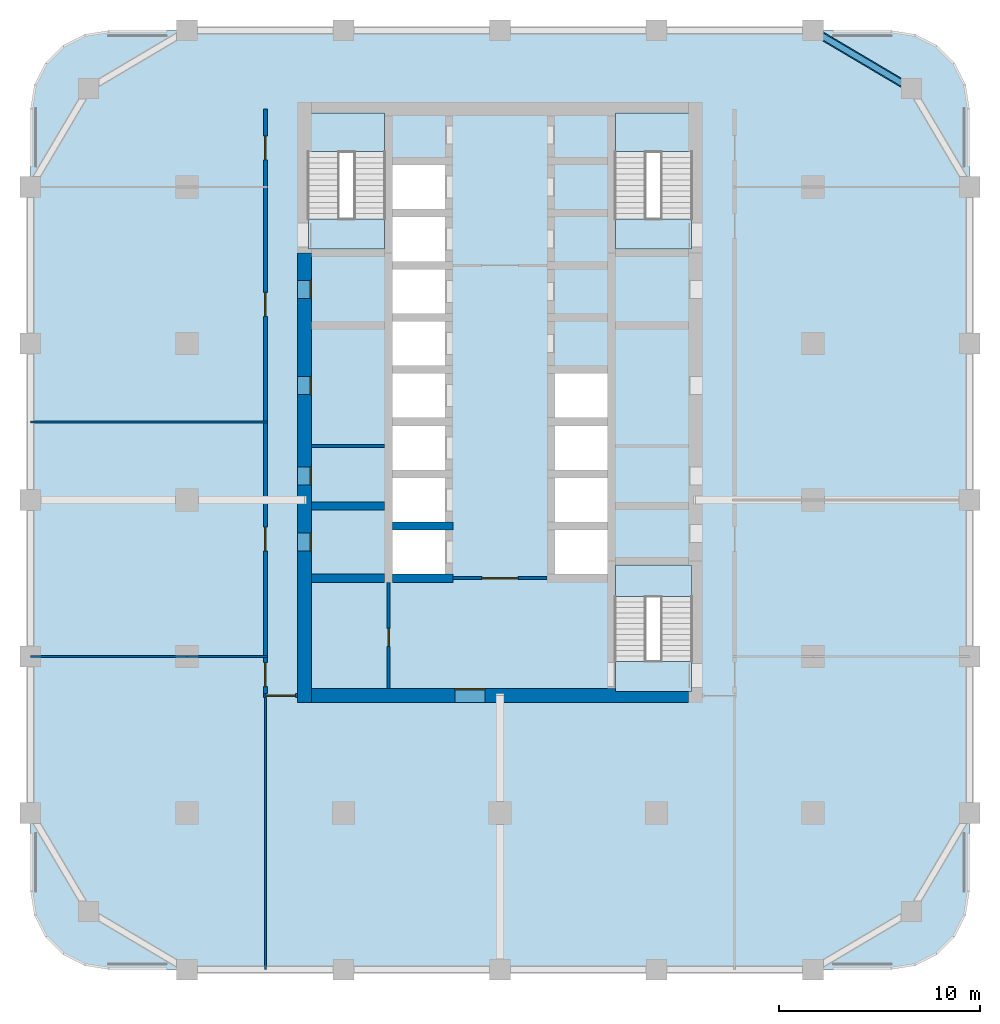
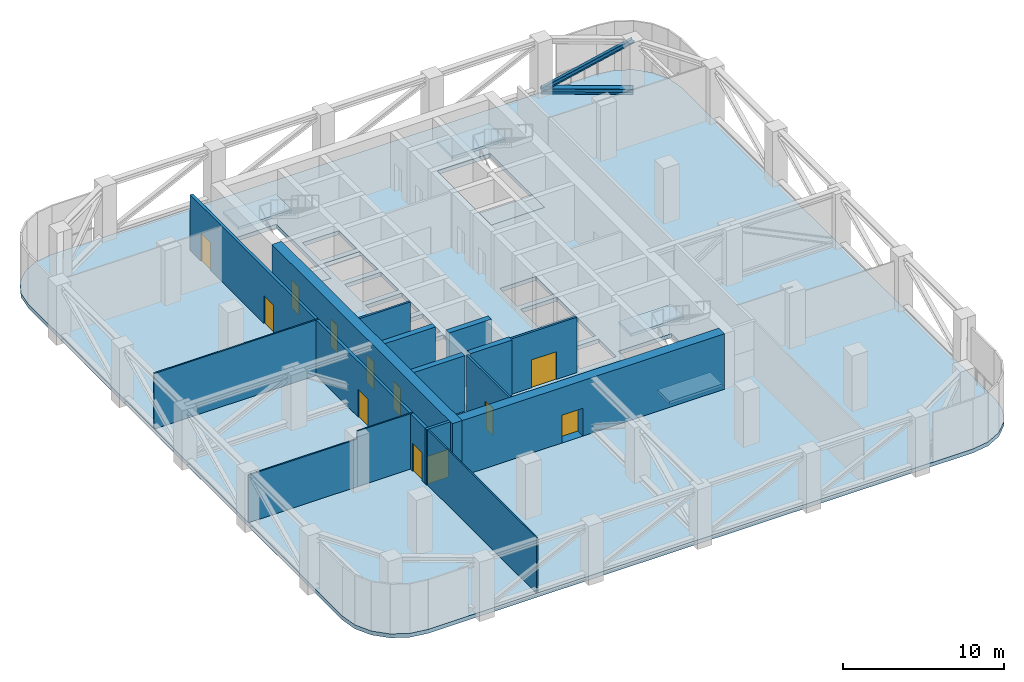
# One storey, part 2 of 8: 15 walls, 12 doors, 7 slabs, 2 members, 12 openings, 3 elements without a shape of their own.
"""IFC4 building model written with IfcOpenShell, lengths in metres."""

from ifc_helpers import new_model, si_unit, direction, frame, frame_2d, origin, origin_2d, place, context, subcontext, project, spatial, polyline, rectangle, i_section, outline, extrude, material, layer, layer_set, material_profile, profile_set, type_object, element, fill, aggregate, save


model = new_model("IFC4")

# Units and contexts
model_context = context("Model", 3, precision=1e-05, world=origin(), true_north=direction((0.0, 1.0)))
body_context = subcontext(model_context, "Body", "Model", "MODEL_VIEW")
ifc_project = project(units=[si_unit("LENGTHUNIT", "METRE"), si_unit("AREAUNIT", "SQUARE_METRE"), si_unit("VOLUMEUNIT", "CUBIC_METRE"), si_unit("PLANEANGLEUNIT", "RADIAN"), si_unit("MASSUNIT", "GRAM", prefix="KILO")], contexts=[model_context])

# Site, building, storey
site_placement = place(None, origin())
site = spatial("IfcSite", under=ifc_project, at=site_placement, CompositionType="ELEMENT")
building_placement = place(site_placement, origin())
building = spatial("IfcBuilding", under=site, at=building_placement, Name="Ludao Terraces", CompositionType="ELEMENT")
storey_placement = place(building_placement, frame((0.0, 0.0, 46.699951171875)))
storey = spatial("IfcBuildingStorey", under=building, at=storey_placement, Name="L12", CompositionType="ELEMENT", Elevation=46.699951171875)

# Members
ifc_material_1 = material(Name="Steel Q355", Category="steel")
ifc_material_profile_1 = material_profile(ifc_material_1, i_section(OverallWidth=0.39990234375, OverallDepth=0.39990234375, WebThickness=0.012939453125, FlangeThickness=0.02099609375, at=origin_2d()), Name="HW 400X400X13X21")
ifc_profile_set_1 = profile_set([ifc_material_profile_1], Name="Steel Q355")
member_type_1 = type_object("IfcMemberType", Name="Belt truss chord HW 400x400x13x21 Q355", PredefinedType="CHORD", material=ifc_profile_set_1)
member_1_placement = place(storey_placement, frame((100.60009765625, 88.39990234375, 0.199951171875), z_axis=(0.860579751256, -0.509315709288, 0.0), x_axis=(0.509315709288, 0.860579751256, 0.0)))
element("IfcMember", 1, at=member_1_placement, inside=storey, type_object=member_type_1, Name="Truss chord L12 BT12B1", PredefinedType="CHORD", context=body_context, shape_type="SweptSolid", body=[
    extrude(i_section(OverallWidth=0.39990234375, OverallDepth=0.39990234375, WebThickness=0.012939453125, FlangeThickness=0.02099609375, at=origin_2d()), origin(), (0.0, 0.0, 1.0), 5.693603515625),
])
ifc_material_profile_2 = material_profile(ifc_material_1, i_section(OverallWidth=0.300048828125, OverallDepth=0.300048828125, WebThickness=0.010009765625, FlangeThickness=0.014892578125, at=origin_2d()), Name="HW 300X300X10X15")
ifc_profile_set_2 = profile_set([ifc_material_profile_2], Name="Steel Q355")
member_type_2 = type_object("IfcMemberType", Name="Belt truss diagonal HW 300x300x10x15 Q355", PredefinedType="BRACE", material=ifc_profile_set_2)
member_2_placement = place(storey_placement, frame((100.60009765625, 88.39990234375, 0.199951171875), z_axis=(0.715799881682, -0.423630841785, 0.555128308838), x_axis=(0.509315709288, 0.860579751256, 0.0)))
element("IfcMember", 2, at=member_2_placement, inside=storey, type_object=member_type_2, Name="Truss diagonal L12 BT121", PredefinedType="BRACE", context=body_context, shape_type="SweptSolid", body=[
    extrude(i_section(OverallWidth=0.300048828125, OverallDepth=0.300048828125, WebThickness=0.010009765625, FlangeThickness=0.014892578125, at=origin_2d()), origin(), (0.0, 0.0, 1.0), 6.845458984375),
])

# Slab
ifc_material_2 = material(Name="Concrete C40", Category="concrete")
ifc_layer_1 = layer(ifc_material_2, 0.300048828125)
ifc_layer_set_1 = layer_set([ifc_layer_1], Name="Floor slab 300 C40")
slab_type_1 = type_object("IfcSlabType", Name="Floor slab 300 C40", PredefinedType="FLOOR", material=ifc_layer_set_1)
slab_1_placement = place(storey_placement, frame((0.0, 0.0, -0.300048828125)))
element("IfcSlab", 3, at=slab_1_placement, inside=storey, type_object=slab_type_1, Name="Slab L12", PredefinedType="FLOOR", context=body_context, shape_type="SweptSolid", body=[
    extrude(outline(polyline([(104.5, 41.60009765625), (105.705078125, 41.790771484375), (106.79248046875, 42.3447265625), (107.6552734375, 43.20751953125), (108.209228515625, 44.294921875), (108.39990234375, 45.5), (108.39990234375, 84.5), (108.209228515625, 85.705078125), (107.6552734375, 86.79248046875), (106.79248046875, 87.6552734375), (105.705078125, 88.209228515625), (104.5, 88.39990234375), (65.5, 88.39990234375), (64.294921875, 88.209228515625), (63.20751953125, 87.6552734375), (62.3447265625, 86.79248046875), (61.790771484375, 85.705078125), (61.60009765625, 84.5), (61.60009765625, 45.5), (61.790771484375, 44.294921875), (62.3447265625, 43.20751953125), (63.20751953125, 42.3447265625), (64.294921875, 41.790771484375), (65.5, 41.60009765625), (104.5, 41.60009765625)]), holes=[polyline([(79.64990234375, 61.300048828125), (82.25, 61.300048828125), (82.25, 63.5), (79.64990234375, 63.5), (79.64990234375, 61.300048828125)]), polyline([(79.64990234375, 63.89990234375), (82.25, 63.89990234375), (82.25, 66.10009765625), (79.64990234375, 66.10009765625), (79.64990234375, 63.89990234375)]), polyline([(79.64990234375, 66.5), (82.25, 66.5), (82.25, 68.699951171875), (79.64990234375, 68.699951171875), (79.64990234375, 66.5)]), polyline([(79.64990234375, 69.10009765625), (82.25, 69.10009765625), (82.25, 71.300048828125), (79.64990234375, 71.300048828125), (79.64990234375, 69.10009765625)]), polyline([(79.64990234375, 71.699951171875), (82.25, 71.699951171875), (82.25, 73.89990234375), (79.64990234375, 73.89990234375), (79.64990234375, 71.699951171875)]), polyline([(79.64990234375, 74.300048828125), (82.25, 74.300048828125), (82.25, 76.5), (79.64990234375, 76.5), (79.64990234375, 74.300048828125)]), polyline([(79.64990234375, 76.89990234375), (82.25, 76.89990234375), (82.25, 79.10009765625), (79.64990234375, 79.10009765625), (79.64990234375, 76.89990234375)]), polyline([(79.64990234375, 79.5), (82.25, 79.5), (82.25, 81.699951171875), (79.64990234375, 81.699951171875), (79.64990234375, 79.5)]), polyline([(87.75, 61.300048828125), (90.35009765625, 61.300048828125), (90.35009765625, 63.5), (87.75, 63.5), (87.75, 61.300048828125)]), polyline([(87.75, 63.89990234375), (90.35009765625, 63.89990234375), (90.35009765625, 66.10009765625), (87.75, 66.10009765625), (87.75, 63.89990234375)]), polyline([(87.75, 66.5), (90.35009765625, 66.5), (90.35009765625, 68.699951171875), (87.75, 68.699951171875), (87.75, 66.5)]), polyline([(87.75, 69.10009765625), (90.35009765625, 69.10009765625), (90.35009765625, 71.300048828125), (87.75, 71.300048828125), (87.75, 69.10009765625)]), polyline([(75.449951171875, 77.5), (79.25, 77.5), (79.25, 84.239990234375), (75.449951171875, 84.239990234375), (75.449951171875, 77.5)]), polyline([(90.75, 77.5), (94.550048828125, 77.5), (94.550048828125, 84.239990234375), (90.75, 84.239990234375), (90.75, 77.5)]), polyline([(90.75, 55.449951171875), (94.550048828125, 55.449951171875), (94.550048828125, 61.75), (90.75, 61.75), (90.75, 55.449951171875)])]), origin(), (0.0, 0.0, 1.0), 0.300048828125),
])

# Stair, slabs
stair_type = type_object("IfcStairType", Name="INT Stair", PredefinedType="HALF_TURN_STAIR", material=ifc_material_2)
stair_1_placement = place(storey_placement, origin())
stair_1 = element("IfcStair", 4, at=stair_1_placement, inside=storey, type_object=stair_type, Name="EXIT STAIR 1", PredefinedType="HALF_TURN_STAIR")
ifc_layer_2 = layer(ifc_material_2, 0.199951171875)
ifc_layer_set_2 = layer_set([ifc_layer_2], Name="INT Stair landing 200")
slab_type_2 = type_object("IfcSlabType", Name="INT Stair landing 200", PredefinedType="LANDING", material=ifc_layer_set_2)
slab_2_placement = place(storey_placement, frame((0.0, 0.0, 2.050048828125)))
slab_2 = element("IfcSlab", 5, at=slab_2_placement, type_object=slab_type_2, Name="ST1 landing 1", PredefinedType="LANDING", context=body_context, shape_type="SweptSolid", body=[
    extrude(outline(polyline([(75.449951171875, 82.360107421875), (79.25, 82.360107421875), (79.25, 84.300048828125), (75.449951171875, 84.300048828125), (75.449951171875, 82.360107421875)])), origin(), (0.0, 0.0, 1.0), 0.199951171875),
])
slab_3_placement = place(storey_placement, frame((0.0, 0.0, -0.199951171875)))
slab_3 = element("IfcSlab", 6, at=slab_3_placement, type_object=slab_type_2, Name="ST1 landing 2", PredefinedType="LANDING", context=body_context, shape_type="SweptSolid", body=[
    extrude(outline(polyline([(75.449951171875, 77.5), (79.25, 77.5), (79.25, 79.0), (75.449951171875, 79.0), (75.449951171875, 77.5)])), origin(), (0.0, 0.0, 1.0), 0.199951171875),
])
aggregate(stair_1, [slab_2, slab_3])

stair_2_placement = place(storey_placement, origin())
stair_2 = element("IfcStair", 7, at=stair_2_placement, inside=storey, type_object=stair_type, Name="EXIT STAIR 2", PredefinedType="HALF_TURN_STAIR")
slab_4_placement = place(storey_placement, frame((0.0, 0.0, 2.050048828125)))
slab_4 = element("IfcSlab", 8, at=slab_4_placement, type_object=slab_type_2, Name="ST2 landing 1", PredefinedType="LANDING", context=body_context, shape_type="SweptSolid", body=[
    extrude(outline(polyline([(90.75, 82.360107421875), (94.550048828125, 82.360107421875), (94.550048828125, 84.300048828125), (90.75, 84.300048828125), (90.75, 82.360107421875)])), origin(), (0.0, 0.0, 1.0), 0.199951171875),
])
slab_5_placement = place(storey_placement, frame((0.0, 0.0, -0.199951171875)))
slab_5 = element("IfcSlab", 9, at=slab_5_placement, type_object=slab_type_2, Name="ST2 landing 2", PredefinedType="LANDING", context=body_context, shape_type="SweptSolid", body=[
    extrude(outline(polyline([(90.75, 77.5), (94.550048828125, 77.5), (94.550048828125, 79.0), (90.75, 79.0), (90.75, 77.5)])), origin(), (0.0, 0.0, 1.0), 0.199951171875),
])
aggregate(stair_2, [slab_4, slab_5])

stair_3_placement = place(storey_placement, origin())
stair_3 = element("IfcStair", 10, at=stair_3_placement, inside=storey, type_object=stair_type, Name="EXIT STAIR 3", PredefinedType="HALF_TURN_STAIR")
slab_6_placement = place(storey_placement, frame((0.0, 0.0, 2.050048828125)))
slab_6 = element("IfcSlab", 11, at=slab_6_placement, type_object=slab_type_2, Name="ST3 landing 1", PredefinedType="LANDING", context=body_context, shape_type="SweptSolid", body=[
    extrude(outline(polyline([(90.75, 60.18994140625), (94.550048828125, 60.18994140625), (94.550048828125, 61.75), (90.75, 61.75), (90.75, 60.18994140625)])), origin(), (0.0, 0.0, 1.0), 0.199951171875),
])
slab_7_placement = place(storey_placement, frame((0.0, 0.0, -0.199951171875)))
slab_7 = element("IfcSlab", 12, at=slab_7_placement, type_object=slab_type_2, Name="ST3 landing 2", PredefinedType="LANDING", context=body_context, shape_type="SweptSolid", body=[
    extrude(outline(polyline([(90.75, 55.449951171875), (94.550048828125, 55.449951171875), (94.550048828125, 56.949951171875), (90.75, 56.949951171875), (90.75, 55.449951171875)])), origin(), (0.0, 0.0, 1.0), 0.199951171875),
])
aggregate(stair_3, [slab_6, slab_7])

# Wall, openings, doors
ifc_material_3 = material(Name="Concrete C70", Category="concrete")
ifc_layer_3 = layer(ifc_material_3, 0.699951171875)
ifc_layer_set_3 = layer_set([ifc_layer_3], Name="Core wall 700 C70")
wall_type_1 = type_object("IfcWallType", Name="Core wall 700 C70", PredefinedType="SOLIDWALL", material=ifc_layer_set_3)
wall_1_placement = place(storey_placement, frame((75.25, 54.89990234375, -0.300048828125), z_axis=(0.0, 0.0, 1.0), x_axis=(0.0, 1.0, 0.0)))
wall_1 = element("IfcWall", 13, at=wall_1_placement, inside=storey, type_object=wall_type_1, Name="Core wall L12 outer-W", PredefinedType="SOLIDWALL", context=body_context, shape_type="SweptSolid", body=[
    extrude(rectangle(XDim=22.400146484375, YDim=0.699951171875, at=frame_2d((11.2001953125, 0.0))), origin(), (0.0, 0.0, 1.0), 4.5),
])
opening_1_placement = place(wall_1_placement, frame((7.550048828125, 0.0, 0.300048828125)))
opening_1 = element("IfcOpeningElement", 14, at=opening_1_placement, cuts=wall_1, Name="Opening L12-011", PredefinedType="OPENING", context=body_context, shape_type="SweptSolid", body=[
    extrude(rectangle(XDim=0.89990234375, YDim=2.10009765625, at=frame_2d((0.449951171875, 1.050048828125))), frame((0.0, 0.35986328125, 0.0), z_axis=(0.0, -1.0, 0.0), x_axis=(1.0, 0.0, 0.0)), (0.0, 0.0, 1.0), 0.719970703125),
])
opening_2_placement = place(wall_1_placement, frame((10.85009765625, 0.0, 0.300048828125)))
opening_2 = element("IfcOpeningElement", 15, at=opening_2_placement, cuts=wall_1, Name="Opening L12-016", PredefinedType="OPENING", context=body_context, shape_type="SweptSolid", body=[
    extrude(rectangle(XDim=0.89990234375, YDim=2.10009765625, at=frame_2d((0.449951171875, 1.050048828125))), frame((0.0, 0.35986328125, 0.0), z_axis=(0.0, -1.0, 0.0), x_axis=(1.0, 0.0, 0.0)), (0.0, 0.0, 1.0), 0.719970703125),
])
opening_3_placement = place(wall_1_placement, frame((15.35009765625, 0.0, 0.300048828125)))
opening_3 = element("IfcOpeningElement", 16, at=opening_3_placement, cuts=wall_1, Name="Opening L12-020", PredefinedType="OPENING", context=body_context, shape_type="SweptSolid", body=[
    extrude(rectangle(XDim=0.89990234375, YDim=2.10009765625, at=frame_2d((0.449951171875, 1.050048828125))), frame((0.0, 0.35986328125, 0.0), z_axis=(0.0, -1.0, 0.0), x_axis=(1.0, 0.0, 0.0)), (0.0, 0.0, 1.0), 0.719970703125),
])
opening_4_placement = place(wall_1_placement, frame((20.14990234375, 0.0, 0.300048828125)))
opening_4 = element("IfcOpeningElement", 17, at=opening_4_placement, cuts=wall_1, Name="Opening L12-027", PredefinedType="OPENING", context=body_context, shape_type="SweptSolid", body=[
    extrude(rectangle(XDim=0.89990234375, YDim=2.10009765625, at=frame_2d((0.449951171875, 1.050048828125))), frame((0.0, 0.35986328125, 0.0), z_axis=(0.0, -1.0, 0.0), x_axis=(1.0, 0.0, 0.0)), (0.0, 0.0, 1.0), 0.719970703125),
])
ifc_material_4 = material(Name="Steel Q235", Category="steel")
door_type_1 = type_object("IfcDoorType", Name="INT Riser door 900", OperationType="SINGLE_SWING_LEFT", PredefinedType="DOOR", material=ifc_material_4)
door_1_placement = place(opening_1_placement, origin())
door_1 = element("IfcDoor", 18, at=door_1_placement, inside=storey, type_object=door_type_1, Name="DOOR 011", OperationType="SINGLE_SWING_RIGHT", OverallHeight=2.10009765625, OverallWidth=0.89990234375, PredefinedType="DOOR", context=body_context, shape_type="SweptSolid", body=[
    extrude(rectangle(XDim=0.89990234375, YDim=2.10009765625, at=frame_2d((0.449951171875, 1.050048828125))), frame((0.0, -0.28515625, 0.0), z_axis=(0.0, -1.0, 0.0), x_axis=(1.0, 0.0, 0.0)), (0.0, 0.0, 1.0), 0.050048828125),
])
fill(opening_1, door_1)
door_2_placement = place(opening_4_placement, origin())
door_2 = element("IfcDoor", 19, at=door_2_placement, inside=storey, type_object=door_type_1, Name="DOOR 027", OperationType="SINGLE_SWING_RIGHT", OverallHeight=2.10009765625, OverallWidth=0.89990234375, PredefinedType="DOOR", context=body_context, shape_type="SweptSolid", body=[
    extrude(rectangle(XDim=0.89990234375, YDim=2.10009765625, at=frame_2d((0.449951171875, 1.050048828125))), frame((0.0, -0.28515625, 0.0), z_axis=(0.0, -1.0, 0.0), x_axis=(1.0, 0.0, 0.0)), (0.0, 0.0, 1.0), 0.050048828125),
])
fill(opening_4, door_2)
ifc_material_5 = material(Name="Timber door leaf", Category="wood")
door_type_2 = type_object("IfcDoorType", Name="INT Room door 900", OperationType="SINGLE_SWING_LEFT", PredefinedType="DOOR", material=ifc_material_5)
door_3_placement = place(opening_2_placement, origin())
door_3 = element("IfcDoor", 20, at=door_3_placement, inside=storey, type_object=door_type_2, Name="DOOR 016", OperationType="SINGLE_SWING_RIGHT", OverallHeight=2.10009765625, OverallWidth=0.89990234375, PredefinedType="DOOR", context=body_context, shape_type="SweptSolid", body=[
    extrude(rectangle(XDim=0.89990234375, YDim=2.10009765625, at=frame_2d((0.449951171875, 1.050048828125))), frame((0.0, -0.28515625, 0.0), z_axis=(0.0, -1.0, 0.0), x_axis=(1.0, 0.0, 0.0)), (0.0, 0.0, 1.0), 0.050048828125),
])
fill(opening_2, door_3)
door_4_placement = place(opening_3_placement, origin())
door_4 = element("IfcDoor", 21, at=door_4_placement, inside=storey, type_object=door_type_2, Name="DOOR 020", OperationType="SINGLE_SWING_LEFT", OverallHeight=2.10009765625, OverallWidth=0.89990234375, PredefinedType="DOOR", context=body_context, shape_type="SweptSolid", body=[
    extrude(rectangle(XDim=0.89990234375, YDim=2.10009765625, at=frame_2d((0.449951171875, 1.050048828125))), frame((0.0, -0.28515625, 0.0), z_axis=(0.0, -1.0, 0.0), x_axis=(1.0, 0.0, 0.0)), (0.0, 0.0, 1.0), 0.050048828125),
])
fill(opening_3, door_4)

# Wall, opening, door
wall_2_placement = place(storey_placement, frame((75.60009765625, 55.25, -0.300048828125), z_axis=(0.0, 0.0, 1.0), x_axis=(1.0, 0.0, 0.0)))
wall_2 = element("IfcWall", 22, at=wall_2_placement, inside=storey, type_object=wall_type_1, Name="Core wall L12 outer-S", PredefinedType="SOLIDWALL", context=body_context, shape_type="SweptSolid", body=[
    extrude(rectangle(XDim=18.7998046875, YDim=0.699951171875, at=frame_2d((9.39990234375, 0.0))), origin(), (0.0, 0.0, 1.0), 4.5),
])
opening_5_placement = place(wall_2_placement, frame((7.14990234375, 0.0, 0.300048828125)))
opening_5 = element("IfcOpeningElement", 23, at=opening_5_placement, cuts=wall_2, Name="Opening L12-002", PredefinedType="OPENING", context=body_context, shape_type="SweptSolid", body=[
    extrude(rectangle(XDim=1.5, YDim=2.10009765625, at=frame_2d((0.75, 1.050048828125))), frame((0.0, 0.35986328125, 0.0), z_axis=(0.0, -1.0, 0.0), x_axis=(1.0, 0.0, 0.0)), (0.0, 0.0, 1.0), 0.719970703125),
])
door_type_3 = type_object("IfcDoorType", Name="INT Lobby door 1500", OperationType="DOUBLE_DOOR_SINGLE_SWING", PredefinedType="DOOR", material=ifc_material_4)
door_5_placement = place(opening_5_placement, origin())
door_5 = element("IfcDoor", 24, at=door_5_placement, inside=storey, type_object=door_type_3, Name="DOOR 002", OperationType="DOUBLE_DOOR_SINGLE_SWING", OverallHeight=2.10009765625, OverallWidth=1.5, PredefinedType="DOOR", context=body_context, shape_type="SweptSolid", body=[
    extrude(rectangle(XDim=1.5, YDim=2.10009765625, at=frame_2d((0.75, 1.050048828125))), frame((0.0, 0.3349609375, 0.0), z_axis=(0.0, -1.0, 0.0), x_axis=(1.0, 0.0, 0.0)), (0.0, 0.0, 1.0), 0.050048828125),
])
fill(opening_5, door_5)

ifc_material_6 = material(Name="Fire-rated gypsum plasterboard", Category="gypsum")
ifc_layer_4 = layer(ifc_material_6, 0.012451171875, Category="gypsum")
ifc_material_7 = material(Name="Mineral wool")
ifc_layer_5 = layer(ifc_material_7, 0.10009765625, Name="insulation")
ifc_layer_6 = layer(ifc_material_4, 0.02490234375, Name="stud")
ifc_layer_7 = layer(ifc_material_6, 0.012451171875, Category="gypsum")
ifc_layer_set_4 = layer_set([ifc_layer_4, ifc_layer_5, ifc_layer_6, ifc_layer_7], Name="INT Core partition 150")
wall_type_2 = type_object("IfcWallType", Name="INT Core partition 150", PredefinedType="PARTITIONING", material=ifc_layer_set_4)
wall_3_placement = place(storey_placement, frame((82.650146484375, 61.10009765625, 0.0), z_axis=(0.0, 0.0, 1.0), x_axis=(1.0, 0.0, 0.0)))
wall_3 = element("IfcWall", 25, at=wall_3_placement, inside=storey, type_object=wall_type_2, Name="PW-L12-PW004", PredefinedType="PARTITIONING", context=body_context, shape_type="SweptSolid", body=[
    extrude(rectangle(XDim=4.699951171875, YDim=0.14990234375, at=frame_2d((2.35009765625, 0.0))), origin(), (0.0, 0.0, 1.0), 4.199951171875),
])
opening_6_placement = place(wall_3_placement, frame((1.449951171875, 0.0, 0.0)))
opening_6 = element("IfcOpeningElement", 26, at=opening_6_placement, cuts=wall_3, Name="Opening L12-009", PredefinedType="OPENING", context=body_context, shape_type="SweptSolid", body=[
    extrude(rectangle(XDim=1.800048828125, YDim=2.10009765625, at=frame_2d((0.89990234375, 1.050048828125))), frame((0.0, 0.0849609375, 0.0), z_axis=(0.0, -1.0, 0.0), x_axis=(1.0, 0.0, 0.0)), (0.0, 0.0, 1.0), 0.169921875),
])
door_type_4 = type_object("IfcDoorType", Name="INT Fire lobby door 1800", OperationType="DOUBLE_DOOR_SINGLE_SWING", PredefinedType="DOOR", material=ifc_material_4)
door_6_placement = place(opening_6_placement, origin())
door_6 = element("IfcDoor", 27, at=door_6_placement, inside=storey, type_object=door_type_4, Name="DOOR 009", OperationType="DOUBLE_DOOR_SINGLE_SWING", OverallHeight=2.10009765625, OverallWidth=1.800048828125, PredefinedType="DOOR", context=body_context, shape_type="SweptSolid", body=[
    extrude(rectangle(XDim=1.800048828125, YDim=2.10009765625, at=frame_2d((0.89990234375, 1.050048828125))), frame((0.0, 0.02490234375, 0.0), z_axis=(0.0, -1.0, 0.0), x_axis=(1.0, 0.0, 0.0)), (0.0, 0.0, 1.0), 0.050048828125),
])
fill(opening_6, door_6)

# Wall
wall_4_placement = place(storey_placement, frame((75.60009765625, 67.699951171875, 0.0), z_axis=(0.0, 0.0, 1.0), x_axis=(1.0, 0.0, 0.0)))
element("IfcWall", 28, at=wall_4_placement, inside=storey, type_object=wall_type_2, Name="PW-L12-PW006", PredefinedType="PARTITIONING", context=body_context, shape_type="SweptSolid", body=[
    extrude(rectangle(XDim=3.64990234375, YDim=0.14990234375, at=frame_2d((1.824951171875, 0.0))), origin(), (0.0, 0.0, 1.0), 4.199951171875),
])

# Wall, opening, door
wall_5_placement = place(storey_placement, frame((79.449951171875, 55.60009765625, 0.0), z_axis=(0.0, 0.0, 1.0), x_axis=(0.0, 1.0, 0.0)))
wall_5 = element("IfcWall", 29, at=wall_5_placement, inside=storey, type_object=wall_type_2, Name="PW-L12-PW014", PredefinedType="PARTITIONING", context=body_context, shape_type="SweptSolid", body=[
    extrude(rectangle(XDim=5.300048828125, YDim=0.14990234375, at=frame_2d((2.64990234375, 0.0))), origin(), (0.0, 0.0, 1.0), 4.199951171875),
])
opening_7_placement = place(wall_5_placement, frame((2.10009765625, 0.0, 0.0)))
opening_7 = element("IfcOpeningElement", 30, at=opening_7_placement, cuts=wall_5, Name="Opening L12-008", PredefinedType="OPENING", context=body_context, shape_type="SweptSolid", body=[
    extrude(rectangle(XDim=0.89990234375, YDim=2.10009765625, at=frame_2d((0.449951171875, 1.050048828125))), frame((0.0, 0.0849609375, 0.0), z_axis=(0.0, -1.0, 0.0), x_axis=(1.0, 0.0, 0.0)), (0.0, 0.0, 1.0), 0.169921875),
])
door_7_placement = place(opening_7_placement, origin())
door_7 = element("IfcDoor", 31, at=door_7_placement, inside=storey, type_object=door_type_2, Name="DOOR 008", OperationType="SINGLE_SWING_LEFT", OverallHeight=2.10009765625, OverallWidth=0.89990234375, PredefinedType="DOOR", context=body_context, shape_type="SweptSolid", body=[
    extrude(rectangle(XDim=0.89990234375, YDim=2.10009765625, at=frame_2d((0.449951171875, 1.050048828125))), frame((0.0, 0.02490234375, 0.0), z_axis=(0.0, -1.0, 0.0), x_axis=(1.0, 0.0, 0.0)), (0.0, 0.0, 1.0), 0.050048828125),
])
fill(opening_7, door_7)

ifc_material_8 = material(Name="Autoclaved aerated concrete block B06 A3.5", Category="concrete")
ifc_layer_8 = layer(ifc_material_8, 0.199951171875)
ifc_layer_set_5 = layer_set([ifc_layer_8], Name="INT Entrance wall 200")
wall_type_3 = type_object("IfcWallType", Name="INT Entrance wall 200", PredefinedType="PARTITIONING", material=ifc_layer_set_5)
wall_6_placement = place(storey_placement, frame((73.2001953125, 55.25, 0.0), z_axis=(0.0, 0.0, 1.0), x_axis=(1.0, 0.0, 0.0)))
wall_6 = element("IfcWall", 32, at=wall_6_placement, inside=storey, type_object=wall_type_3, Name="PW-L12-PW000", PredefinedType="PARTITIONING", context=body_context, shape_type="SweptSolid", body=[
    extrude(rectangle(XDim=1.699951171875, YDim=0.199951171875, at=frame_2d((0.85009765625, 0.0))), origin(), (0.0, 0.0, 1.0), 4.199951171875),
])
opening_8_placement = place(wall_6_placement, frame((0.10009765625, 0.0, 0.0)))
opening_8 = element("IfcOpeningElement", 33, at=opening_8_placement, cuts=wall_6, Name="Opening L12-001", PredefinedType="OPENING", context=body_context, shape_type="SweptSolid", body=[
    extrude(rectangle(XDim=1.5, YDim=2.10009765625, at=frame_2d((0.75, 1.050048828125))), frame((0.0, 0.10986328125, 0.0), z_axis=(0.0, -1.0, 0.0), x_axis=(1.0, 0.0, 0.0)), (0.0, 0.0, 1.0), 0.219970703125),
])
door_8_placement = place(opening_8_placement, origin())
door_8 = element("IfcDoor", 34, at=door_8_placement, inside=storey, type_object=door_type_3, Name="DOOR 001", OperationType="DOUBLE_DOOR_SINGLE_SWING", OverallHeight=2.10009765625, OverallWidth=1.5, PredefinedType="DOOR", context=body_context, shape_type="SweptSolid", body=[
    extrude(rectangle(XDim=1.5, YDim=2.10009765625, at=frame_2d((0.75, 1.050048828125))), frame((0.0, 0.02490234375, 0.0), z_axis=(0.0, -1.0, 0.0), x_axis=(1.0, 0.0, 0.0)), (0.0, 0.0, 1.0), 0.050048828125),
])
fill(opening_8, door_8)

# Wall, openings, doors
wall_7_placement = place(storey_placement, frame((73.300048828125, 55.35009765625, 0.0), z_axis=(0.0, 0.0, 1.0), x_axis=(0.0, 1.0, 0.0)))
wall_7 = element("IfcWall", 35, at=wall_7_placement, inside=storey, type_object=wall_type_3, Name="PW-L12-PW013", PredefinedType="PARTITIONING", context=body_context, shape_type="SweptSolid", body=[
    extrude(rectangle(XDim=29.14990234375, YDim=0.199951171875, at=frame_2d((14.574951171875, 0.0))), origin(), (0.0, 0.0, 1.0), 4.199951171875),
])
opening_9_placement = place(wall_7_placement, frame((0.35009765625, 0.0, 0.0)))
opening_9 = element("IfcOpeningElement", 36, at=opening_9_placement, cuts=wall_7, Name="Opening L12-006", PredefinedType="OPENING", context=body_context, shape_type="SweptSolid", body=[
    extrude(rectangle(XDim=1.199951171875, YDim=2.10009765625, at=frame_2d((0.60009765625, 1.050048828125))), frame((0.0, 0.10986328125, 0.0), z_axis=(0.0, -1.0, 0.0), x_axis=(1.0, 0.0, 0.0)), (0.0, 0.0, 1.0), 0.219970703125),
])
opening_10_placement = place(wall_7_placement, frame((7.10009765625, 0.0, 0.0)))
opening_10 = element("IfcOpeningElement", 37, at=opening_10_placement, cuts=wall_7, Name="Opening L12-012", PredefinedType="OPENING", context=body_context, shape_type="SweptSolid", body=[
    extrude(rectangle(XDim=1.199951171875, YDim=2.10009765625, at=frame_2d((0.60009765625, 1.050048828125))), frame((0.0, 0.10986328125, 0.0), z_axis=(0.0, -1.0, 0.0), x_axis=(1.0, 0.0, 0.0)), (0.0, 0.0, 1.0), 0.219970703125),
])
opening_11_placement = place(wall_7_placement, frame((18.800048828125, 0.0, 0.0)))
opening_11 = element("IfcOpeningElement", 38, at=opening_11_placement, cuts=wall_7, Name="Opening L12-024", PredefinedType="OPENING", context=body_context, shape_type="SweptSolid", body=[
    extrude(rectangle(XDim=1.199951171875, YDim=2.10009765625, at=frame_2d((0.60009765625, 1.050048828125))), frame((0.0, 0.10986328125, 0.0), z_axis=(0.0, -1.0, 0.0), x_axis=(1.0, 0.0, 0.0)), (0.0, 0.0, 1.0), 0.219970703125),
])
opening_12_placement = place(wall_7_placement, frame((26.60009765625, 0.0, 0.0)))
opening_12 = element("IfcOpeningElement", 39, at=opening_12_placement, cuts=wall_7, Name="Opening L12-037", PredefinedType="OPENING", context=body_context, shape_type="SweptSolid", body=[
    extrude(rectangle(XDim=1.199951171875, YDim=2.10009765625, at=frame_2d((0.60009765625, 1.050048828125))), frame((0.0, 0.10986328125, 0.0), z_axis=(0.0, -1.0, 0.0), x_axis=(1.0, 0.0, 0.0)), (0.0, 0.0, 1.0), 0.219970703125),
])
door_type_5 = type_object("IfcDoorType", Name="INT Double door 1200", OperationType="DOUBLE_DOOR_SINGLE_SWING", PredefinedType="DOOR", material=ifc_material_5)
door_9_placement = place(opening_9_placement, origin())
door_9 = element("IfcDoor", 40, at=door_9_placement, inside=storey, type_object=door_type_5, Name="DOOR 006", OperationType="DOUBLE_DOOR_SINGLE_SWING", OverallHeight=2.10009765625, OverallWidth=1.199951171875, PredefinedType="DOOR", context=body_context, shape_type="SweptSolid", body=[
    extrude(rectangle(XDim=1.199951171875, YDim=2.10009765625, at=frame_2d((0.60009765625, 1.050048828125))), frame((0.0, 0.02490234375, 0.0), z_axis=(0.0, -1.0, 0.0), x_axis=(1.0, 0.0, 0.0)), (0.0, 0.0, 1.0), 0.050048828125),
])
fill(opening_9, door_9)
door_10_placement = place(opening_10_placement, origin())
door_10 = element("IfcDoor", 41, at=door_10_placement, inside=storey, type_object=door_type_5, Name="DOOR 012", OperationType="DOUBLE_DOOR_SINGLE_SWING", OverallHeight=2.10009765625, OverallWidth=1.199951171875, PredefinedType="DOOR", context=body_context, shape_type="SweptSolid", body=[
    extrude(rectangle(XDim=1.199951171875, YDim=2.10009765625, at=frame_2d((0.60009765625, 1.050048828125))), frame((0.0, 0.02490234375, 0.0), z_axis=(0.0, -1.0, 0.0), x_axis=(1.0, 0.0, 0.0)), (0.0, 0.0, 1.0), 0.050048828125),
])
fill(opening_10, door_10)
door_11_placement = place(opening_11_placement, origin())
door_11 = element("IfcDoor", 42, at=door_11_placement, inside=storey, type_object=door_type_5, Name="DOOR 024", OperationType="DOUBLE_DOOR_SINGLE_SWING", OverallHeight=2.10009765625, OverallWidth=1.199951171875, PredefinedType="DOOR", context=body_context, shape_type="SweptSolid", body=[
    extrude(rectangle(XDim=1.199951171875, YDim=2.10009765625, at=frame_2d((0.60009765625, 1.050048828125))), frame((0.0, 0.02490234375, 0.0), z_axis=(0.0, -1.0, 0.0), x_axis=(1.0, 0.0, 0.0)), (0.0, 0.0, 1.0), 0.050048828125),
])
fill(opening_11, door_11)
door_12_placement = place(opening_12_placement, origin())
door_12 = element("IfcDoor", 43, at=door_12_placement, inside=storey, type_object=door_type_5, Name="DOOR 037", OperationType="DOUBLE_DOOR_SINGLE_SWING", OverallHeight=2.10009765625, OverallWidth=1.199951171875, PredefinedType="DOOR", context=body_context, shape_type="SweptSolid", body=[
    extrude(rectangle(XDim=1.199951171875, YDim=2.10009765625, at=frame_2d((0.60009765625, 1.050048828125))), frame((0.0, 0.02490234375, 0.0), z_axis=(0.0, -1.0, 0.0), x_axis=(1.0, 0.0, 0.0)), (0.0, 0.0, 1.0), 0.050048828125),
])
fill(opening_12, door_12)

# Walls
ifc_material_9 = material(Name="Gypsum plasterboard", Category="gypsum")
ifc_layer_9 = layer(ifc_material_9, 0.012451171875, Category="gypsum")
ifc_layer_10 = layer(ifc_material_7, 0.06005859375, Name="insulation")
ifc_layer_11 = layer(ifc_material_4, 0.014892578125, Name="stud")
ifc_layer_12 = layer(ifc_material_9, 0.012451171875, Category="gypsum")
ifc_layer_set_6 = layer_set([ifc_layer_9, ifc_layer_10, ifc_layer_11, ifc_layer_12], Name="INT Partition 100")
wall_type_4 = type_object("IfcWallType", Name="INT Partition 100", PredefinedType="PARTITIONING", material=ifc_layer_set_6)
wall_8_placement = place(storey_placement, frame((61.60009765625, 57.199951171875, 0.0), z_axis=(0.0, 0.0, 1.0), x_axis=(1.0, 0.0, 0.0)))
element("IfcWall", 44, at=wall_8_placement, inside=storey, type_object=wall_type_4, Name="PW-L12-PW002", PredefinedType="PARTITIONING", context=body_context, shape_type="SweptSolid", body=[
    extrude(rectangle(XDim=7.7998046875, YDim=0.10009765625, at=frame_2d((3.89990234375, 0.0))), origin(), (0.0, 0.0, 1.0), 3.60009765625),
])
wall_9_placement = place(storey_placement, frame((69.39990234375, 57.199951171875, 0.0), z_axis=(0.0, 0.0, 1.0), x_axis=(1.0, 0.0, 0.0)))
element("IfcWall", 45, at=wall_9_placement, inside=storey, type_object=wall_type_4, Name="PW-L12-PW002-2", PredefinedType="PARTITIONING", context=body_context, shape_type="SweptSolid", body=[
    extrude(rectangle(XDim=4.000244140625, YDim=0.10009765625, at=frame_2d((2.0, 0.0))), origin(), (0.0, 0.0, 1.0), 4.199951171875),
])
wall_10_placement = place(storey_placement, frame((61.60009765625, 68.89990234375, 0.0), z_axis=(0.0, 0.0, 1.0), x_axis=(1.0, 0.0, 0.0)))
element("IfcWall", 46, at=wall_10_placement, inside=storey, type_object=wall_type_4, Name="PW-L12-PW008", PredefinedType="PARTITIONING", context=body_context, shape_type="SweptSolid", body=[
    extrude(rectangle(XDim=11.800048828125, YDim=0.10009765625, at=frame_2d((5.89990234375, 0.0))), origin(), (0.0, 0.0, 1.0), 4.199951171875),
])
wall_11_placement = place(storey_placement, frame((73.300048828125, 41.60009765625, 0.0), z_axis=(0.0, 0.0, 1.0), x_axis=(0.0, 1.0, 0.0)))
element("IfcWall", 47, at=wall_11_placement, inside=storey, type_object=wall_type_4, Name="PW-L12-PW012", PredefinedType="PARTITIONING", context=body_context, shape_type="SweptSolid", body=[
    extrude(rectangle(XDim=13.550048828125, YDim=0.10009765625, at=frame_2d((6.77490234375, 0.0))), origin(), (0.0, 0.0, 1.0), 4.199951171875),
])
ifc_material_10 = material(Name="Concrete C60", Category="concrete")
ifc_layer_13 = layer(ifc_material_10, 0.39990234375)
ifc_layer_set_7 = layer_set([ifc_layer_13], Name="Shaft wall 400 C60")
wall_type_5 = type_object("IfcWallType", Name="Shaft wall 400 C60", PredefinedType="SOLIDWALL", material=ifc_layer_set_7)
for number, where, z_axis, x_axis, name in (
    (48, (79.64990234375, 61.10009765625, -0.300048828125), (0.0, 0.0, 1.0), (1.0, 0.0, 0.0), "Core wall L12 div-W1"),
    (49, (79.64990234375, 63.699951171875, -0.300048828125), (0.0, 0.0, 1.0), (1.0, 0.0, 0.0), "Core wall L12 div-W2"),
):
    element("IfcWall", number, at=place(storey_placement, frame(where, z_axis=z_axis, x_axis=x_axis)), inside=storey, type_object=wall_type_5, Name=name, PredefinedType="SOLIDWALL", context=body_context, shape_type="SweptSolid", body=[
        extrude(rectangle(XDim=3.0, YDim=0.39990234375, at=frame_2d((1.5, 0.0))), origin(), (0.0, 0.0, 1.0), 4.5),
    ])
for number, where, z_axis, x_axis, name in (
    (50, (75.60009765625, 61.10009765625, -0.300048828125), (0.0, 0.0, 1.0), (1.0, 0.0, 0.0), "Core wall L12 hall-W"),
    (51, (75.60009765625, 64.699951171875, -0.300048828125), (0.0, 0.0, 1.0), (1.0, 0.0, 0.0), "Core wall L12 riser-a-W"),
):
    element("IfcWall", number, at=place(storey_placement, frame(where, z_axis=z_axis, x_axis=x_axis)), inside=storey, type_object=wall_type_5, Name=name, PredefinedType="SOLIDWALL", context=body_context, shape_type="SweptSolid", body=[
        extrude(rectangle(XDim=3.64990234375, YDim=0.39990234375, at=frame_2d((1.824951171875, 0.0))), origin(), (0.0, 0.0, 1.0), 4.5),
    ])

save(model, "model.ifc")
